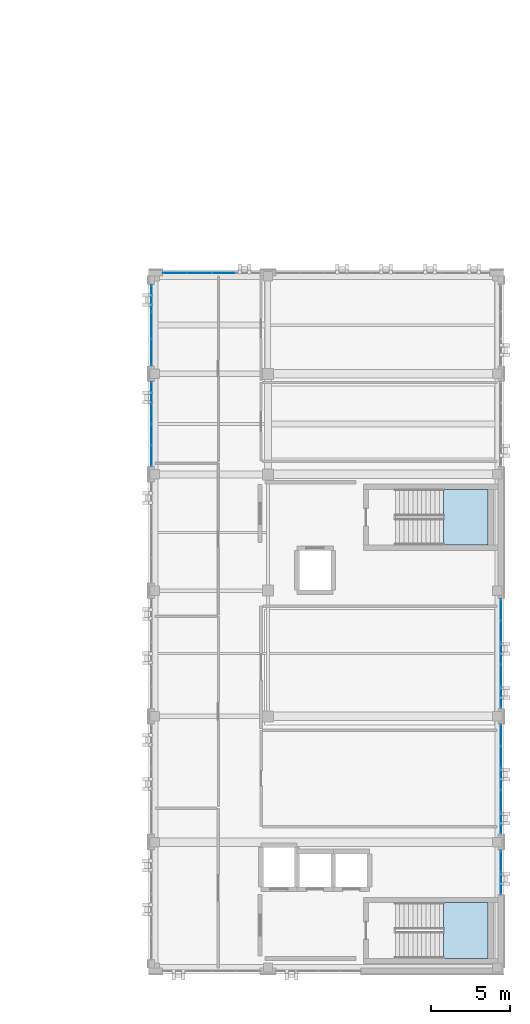
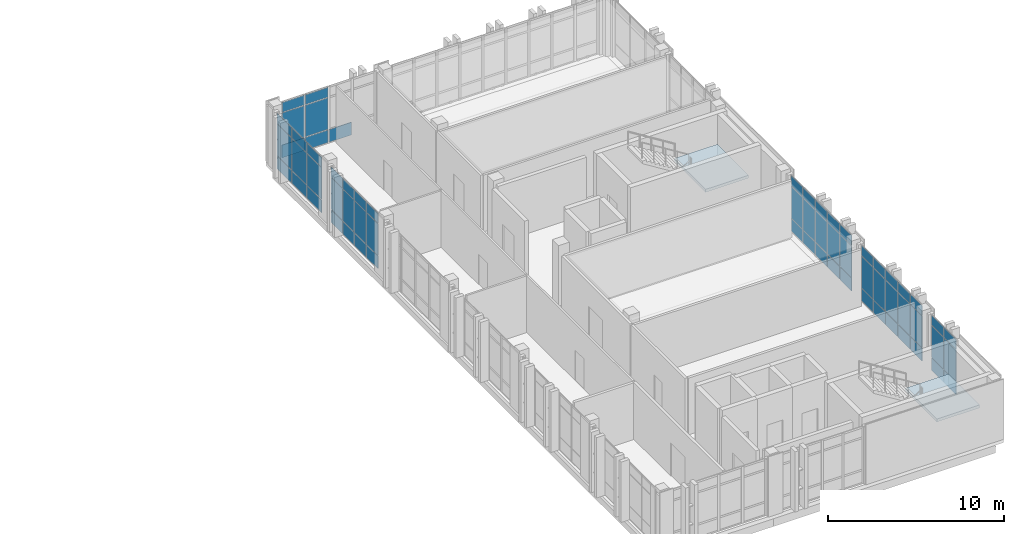
# One storey, part 56 of 77: 64 plates, 2 slabs, 8 elements without a shape of their own.
"""IFC4 building model written with IfcOpenShell, lengths in metres."""

from ifc_helpers import new_model, si_unit, direction, frame, origin, origin_2d, place, context, subcontext, project, spatial, polyline, rectangle, outline, extrude, material, layer, layer_set, type_object, element, aggregate, save


model = new_model("IFC4")

# Units and contexts
model_context = context("Model", 3, precision=1e-05, world=origin(), true_north=direction((0.0, 1.0)))
body_context = subcontext(model_context, "Body", "Model", "MODEL_VIEW")
ifc_project = project(units=[si_unit("LENGTHUNIT", "METRE"), si_unit("AREAUNIT", "SQUARE_METRE"), si_unit("VOLUMEUNIT", "CUBIC_METRE"), si_unit("PLANEANGLEUNIT", "RADIAN"), si_unit("MASSUNIT", "GRAM", prefix="KILO")], contexts=[model_context])

# Site, building, storey
site_placement = place(None, origin())
site = spatial("IfcSite", under=ifc_project, at=site_placement, CompositionType="ELEMENT")
building_placement = place(site_placement, origin())
building = spatial("IfcBuilding", under=site, at=building_placement, Name="Qalavern Law Courts", CompositionType="ELEMENT")
storey_placement = place(building_placement, frame((0.0, 0.0, 27.0)))
storey = spatial("IfcBuildingStorey", under=building, at=storey_placement, Name="L06", CompositionType="ELEMENT", Elevation=27.0)

# Curtain wall, plates
ifc_material_1 = material(Name="Anodised aluminium and insulated glazing", Category="aluminium")
ifc_layer_1 = layer(ifc_material_1, 0.159912109375)
ifc_layer_set_1 = layer_set([ifc_layer_1], Name="Anodised aluminium and insulated glazing")
curtain_wall_type = type_object("IfcCurtainWallType", Name="ENV-CW-CHAMB", PredefinedType="USERDEFINED", material=ifc_layer_set_1)
curtain_wall_1_placement = place(storey_placement, origin())
curtain_wall_1 = element("IfcCurtainWall", 1, at=curtain_wall_1_placement, inside=storey, type_object=curtain_wall_type, Name="V4 unitised curtain wall L06 east 1", ObjectType="UNITISED CURTAIN WALL", PredefinedType="USERDEFINED")
ifc_material_2 = material(Name="Insulated low-E acoustic glazing", Category="glass")
ifc_layer_2 = layer(ifc_material_2, 0.031982421875)
ifc_layer_set_2 = layer_set([ifc_layer_2], Name="Insulated low-E acoustic glazing")
plate_type_1 = type_object("IfcPlateType", Name="ENV-CWP-32", PredefinedType="CURTAIN_PANEL", material=ifc_layer_set_2)
plate_1_placement = place(storey_placement, frame((106.614990234375, 46.7744140625, 0.048095703125), z_axis=(0.0, 0.0, 1.0), x_axis=(0.0, 1.0, 0.0)))
plate_1 = element("IfcPlate", 2, at=plate_1_placement, type_object=plate_type_1, Name="CW-04 panel 1.1", PredefinedType="CURTAIN_PANEL", context=body_context, shape_type="SweptSolid", body=[
    extrude(rectangle(XDim=1.35302734375, YDim=0.031982421875, at=origin_2d()), origin(), (0.0, 0.0, 1.0), 0.8779296875),
])
plate_2_placement = place(storey_placement, frame((106.614990234375, 46.7744140625, 0.973876953125), z_axis=(0.0, 0.0, 1.0), x_axis=(0.0, 1.0, 0.0)))
plate_2 = element("IfcPlate", 3, at=plate_2_placement, type_object=plate_type_1, Name="CW-04 panel 1.2", PredefinedType="CURTAIN_PANEL", context=body_context, shape_type="SweptSolid", body=[
    extrude(rectangle(XDim=1.35302734375, YDim=0.031982421875, at=origin_2d()), origin(), (0.0, 0.0, 1.0), 2.18701171875),
])
plate_3_placement = place(storey_placement, frame((106.614990234375, 46.7744140625, 3.208984375), z_axis=(0.0, 0.0, 1.0), x_axis=(0.0, 1.0, 0.0)))
plate_3 = element("IfcPlate", 4, at=plate_3_placement, type_object=plate_type_1, Name="CW-04 panel 1.3", PredefinedType="CURTAIN_PANEL", context=body_context, shape_type="SweptSolid", body=[
    extrude(rectangle(XDim=1.35302734375, YDim=0.031982421875, at=origin_2d()), origin(), (0.0, 0.0, 1.0), 0.677978515625),
])
plate_4_placement = place(storey_placement, frame((106.614990234375, 48.175537109375, 0.048095703125), z_axis=(0.0, 0.0, 1.0), x_axis=(0.0, 1.0, 0.0)))
plate_4 = element("IfcPlate", 5, at=plate_4_placement, type_object=plate_type_1, Name="CW-04 panel 2.1", PredefinedType="CURTAIN_PANEL", context=body_context, shape_type="SweptSolid", body=[
    extrude(rectangle(XDim=1.35302734375, YDim=0.031982421875, at=origin_2d()), origin(), (0.0, 0.0, 1.0), 0.8779296875),
])
plate_5_placement = place(storey_placement, frame((106.614990234375, 48.175537109375, 0.973876953125), z_axis=(0.0, 0.0, 1.0), x_axis=(0.0, 1.0, 0.0)))
plate_5 = element("IfcPlate", 6, at=plate_5_placement, type_object=plate_type_1, Name="CW-04 panel 2.2", PredefinedType="CURTAIN_PANEL", context=body_context, shape_type="SweptSolid", body=[
    extrude(rectangle(XDim=1.35302734375, YDim=0.031982421875, at=origin_2d()), origin(), (0.0, 0.0, 1.0), 2.18701171875),
])
plate_6_placement = place(storey_placement, frame((106.614990234375, 48.175537109375, 3.208984375), z_axis=(0.0, 0.0, 1.0), x_axis=(0.0, 1.0, 0.0)))
plate_6 = element("IfcPlate", 7, at=plate_6_placement, type_object=plate_type_1, Name="CW-04 panel 2.3", PredefinedType="CURTAIN_PANEL", context=body_context, shape_type="SweptSolid", body=[
    extrude(rectangle(XDim=1.35302734375, YDim=0.031982421875, at=origin_2d()), origin(), (0.0, 0.0, 1.0), 0.677978515625),
])
aggregate(curtain_wall_1, [plate_1, plate_2, plate_3, plate_4, plate_5, plate_6])

curtain_wall_2_placement = place(storey_placement, origin())
curtain_wall_2 = element("IfcCurtainWall", 8, at=curtain_wall_2_placement, inside=storey, type_object=curtain_wall_type, Name="V4 unitised curtain wall L06 west 1", ObjectType="UNITISED CURTAIN WALL", PredefinedType="USERDEFINED")
plate_7_placement = place(storey_placement, frame((84.385009765625, 84.0087890625, 0.048095703125), z_axis=(0.0, 0.0, 1.0), x_axis=(0.0, -1.0, 0.0)))
plate_7 = element("IfcPlate", 9, at=plate_7_placement, type_object=plate_type_1, Name="CW-04 panel 1.1", PredefinedType="CURTAIN_PANEL", context=body_context, shape_type="SweptSolid", body=[
    extrude(rectangle(XDim=1.65625, YDim=0.031982421875, at=origin_2d()), origin(), (0.0, 0.0, 1.0), 0.8779296875),
])
plate_8_placement = place(storey_placement, frame((84.385009765625, 84.0087890625, 0.973876953125), z_axis=(0.0, 0.0, 1.0), x_axis=(0.0, -1.0, 0.0)))
plate_8 = element("IfcPlate", 10, at=plate_8_placement, type_object=plate_type_1, Name="CW-04 panel 1.2", PredefinedType="CURTAIN_PANEL", context=body_context, shape_type="SweptSolid", body=[
    extrude(rectangle(XDim=1.65625, YDim=0.031982421875, at=origin_2d()), origin(), (0.0, 0.0, 1.0), 2.18701171875),
])
plate_9_placement = place(storey_placement, frame((84.385009765625, 84.0087890625, 3.208984375), z_axis=(0.0, 0.0, 1.0), x_axis=(0.0, -1.0, 0.0)))
plate_9 = element("IfcPlate", 11, at=plate_9_placement, type_object=plate_type_1, Name="CW-04 panel 1.3", PredefinedType="CURTAIN_PANEL", context=body_context, shape_type="SweptSolid", body=[
    extrude(rectangle(XDim=1.65625, YDim=0.031982421875, at=origin_2d()), origin(), (0.0, 0.0, 1.0), 0.677978515625),
])
plate_10_placement = place(storey_placement, frame((84.385009765625, 82.29248046875, 0.048095703125), z_axis=(0.0, 0.0, 1.0), x_axis=(0.0, -1.0, 0.0)))
plate_10 = element("IfcPlate", 12, at=plate_10_placement, type_object=plate_type_1, Name="CW-04 panel 2.1", PredefinedType="CURTAIN_PANEL", context=body_context, shape_type="SweptSolid", body=[
    extrude(rectangle(XDim=1.680419921875, YDim=0.031982421875, at=origin_2d()), origin(), (0.0, 0.0, 1.0), 0.8779296875),
])
plate_11_placement = place(storey_placement, frame((84.385009765625, 82.29248046875, 0.973876953125), z_axis=(0.0, 0.0, 1.0), x_axis=(0.0, -1.0, 0.0)))
plate_11 = element("IfcPlate", 13, at=plate_11_placement, type_object=plate_type_1, Name="CW-04 panel 2.2", PredefinedType="CURTAIN_PANEL", context=body_context, shape_type="SweptSolid", body=[
    extrude(rectangle(XDim=1.680419921875, YDim=0.031982421875, at=origin_2d()), origin(), (0.0, 0.0, 1.0), 2.18701171875),
])
plate_12_placement = place(storey_placement, frame((84.385009765625, 82.29248046875, 3.208984375), z_axis=(0.0, 0.0, 1.0), x_axis=(0.0, -1.0, 0.0)))
plate_12 = element("IfcPlate", 14, at=plate_12_placement, type_object=plate_type_1, Name="CW-04 panel 2.3", PredefinedType="CURTAIN_PANEL", context=body_context, shape_type="SweptSolid", body=[
    extrude(rectangle(XDim=1.680419921875, YDim=0.031982421875, at=origin_2d()), origin(), (0.0, 0.0, 1.0), 0.677978515625),
])
plate_13_placement = place(storey_placement, frame((84.385009765625, 80.576171875, 0.048095703125), z_axis=(0.0, 0.0, 1.0), x_axis=(0.0, -1.0, 0.0)))
plate_13 = element("IfcPlate", 15, at=plate_13_placement, type_object=plate_type_1, Name="CW-04 panel 3.1", PredefinedType="CURTAIN_PANEL", context=body_context, shape_type="SweptSolid", body=[
    extrude(rectangle(XDim=1.65625, YDim=0.031982421875, at=origin_2d()), origin(), (0.0, 0.0, 1.0), 0.8779296875),
])
plate_14_placement = place(storey_placement, frame((84.385009765625, 80.576171875, 0.973876953125), z_axis=(0.0, 0.0, 1.0), x_axis=(0.0, -1.0, 0.0)))
plate_14 = element("IfcPlate", 16, at=plate_14_placement, type_object=plate_type_1, Name="CW-04 panel 3.2", PredefinedType="CURTAIN_PANEL", context=body_context, shape_type="SweptSolid", body=[
    extrude(rectangle(XDim=1.65625, YDim=0.031982421875, at=origin_2d()), origin(), (0.0, 0.0, 1.0), 2.18701171875),
])
plate_15_placement = place(storey_placement, frame((84.385009765625, 80.576171875, 3.208984375), z_axis=(0.0, 0.0, 1.0), x_axis=(0.0, -1.0, 0.0)))
plate_15 = element("IfcPlate", 17, at=plate_15_placement, type_object=plate_type_1, Name="CW-04 panel 3.3", PredefinedType="CURTAIN_PANEL", context=body_context, shape_type="SweptSolid", body=[
    extrude(rectangle(XDim=1.65625, YDim=0.031982421875, at=origin_2d()), origin(), (0.0, 0.0, 1.0), 0.677978515625),
])
aggregate(curtain_wall_2, [plate_7, plate_8, plate_9, plate_10, plate_11, plate_12, plate_13, plate_14, plate_15])

curtain_wall_3_placement = place(storey_placement, origin())
curtain_wall_3 = element("IfcCurtainWall", 18, at=curtain_wall_3_placement, inside=storey, type_object=curtain_wall_type, Name="V4 unitised curtain wall L06 east 2", ObjectType="UNITISED CURTAIN WALL", PredefinedType="USERDEFINED")
ifc_layer_3 = layer(ifc_material_2, 0.035888671875)
ifc_layer_set_3 = layer_set([ifc_layer_3], Name="Insulated low-E acoustic glazing")
plate_type_2 = type_object("IfcPlateType", Name="ENV-CWP-36", PredefinedType="CURTAIN_PANEL", material=ifc_layer_set_3)
plate_16_placement = place(storey_placement, frame((106.614990234375, 50.612060546875, 0.048095703125), z_axis=(0.0, 0.0, 1.0), x_axis=(0.0, 1.0, 0.0)))
plate_16 = element("IfcPlate", 19, at=plate_16_placement, type_object=plate_type_2, Name="CW-04 panel 1.1", PredefinedType="CURTAIN_PANEL", context=body_context, shape_type="SweptSolid", body=[
    extrude(rectangle(XDim=1.327880859375, YDim=0.035888671875, at=origin_2d()), origin(), (0.0, 0.0, 1.0), 0.8779296875),
])
plate_17_placement = place(storey_placement, frame((106.614990234375, 50.612060546875, 0.973876953125), z_axis=(0.0, 0.0, 1.0), x_axis=(0.0, 1.0, 0.0)))
plate_17 = element("IfcPlate", 20, at=plate_17_placement, type_object=plate_type_2, Name="CW-04 panel 1.2", PredefinedType="CURTAIN_PANEL", context=body_context, shape_type="SweptSolid", body=[
    extrude(rectangle(XDim=1.327880859375, YDim=0.035888671875, at=origin_2d()), origin(), (0.0, 0.0, 1.0), 2.18701171875),
])
plate_18_placement = place(storey_placement, frame((106.614990234375, 50.612060546875, 3.208984375), z_axis=(0.0, 0.0, 1.0), x_axis=(0.0, 1.0, 0.0)))
plate_18 = element("IfcPlate", 21, at=plate_18_placement, type_object=plate_type_2, Name="CW-04 panel 1.3", PredefinedType="CURTAIN_PANEL", context=body_context, shape_type="SweptSolid", body=[
    extrude(rectangle(XDim=1.327880859375, YDim=0.035888671875, at=origin_2d()), origin(), (0.0, 0.0, 1.0), 0.677978515625),
])
plate_19_placement = place(storey_placement, frame((106.614990234375, 52.0, 0.048095703125), z_axis=(0.0, 0.0, 1.0), x_axis=(0.0, 1.0, 0.0)))
plate_19 = element("IfcPlate", 22, at=plate_19_placement, type_object=plate_type_2, Name="CW-04 panel 2.1", PredefinedType="CURTAIN_PANEL", context=body_context, shape_type="SweptSolid", body=[
    extrude(rectangle(XDim=1.35205078125, YDim=0.035888671875, at=origin_2d()), origin(), (0.0, 0.0, 1.0), 0.8779296875),
])
plate_20_placement = place(storey_placement, frame((106.614990234375, 52.0, 0.973876953125), z_axis=(0.0, 0.0, 1.0), x_axis=(0.0, 1.0, 0.0)))
plate_20 = element("IfcPlate", 23, at=plate_20_placement, type_object=plate_type_2, Name="CW-04 panel 2.2", PredefinedType="CURTAIN_PANEL", context=body_context, shape_type="SweptSolid", body=[
    extrude(rectangle(XDim=1.35205078125, YDim=0.035888671875, at=origin_2d()), origin(), (0.0, 0.0, 1.0), 2.18701171875),
])
plate_21_placement = place(storey_placement, frame((106.614990234375, 52.0, 3.208984375), z_axis=(0.0, 0.0, 1.0), x_axis=(0.0, 1.0, 0.0)))
plate_21 = element("IfcPlate", 24, at=plate_21_placement, type_object=plate_type_2, Name="CW-04 panel 2.3", PredefinedType="CURTAIN_PANEL", context=body_context, shape_type="SweptSolid", body=[
    extrude(rectangle(XDim=1.35205078125, YDim=0.035888671875, at=origin_2d()), origin(), (0.0, 0.0, 1.0), 0.677978515625),
])
plate_22_placement = place(storey_placement, frame((106.614990234375, 53.39990234375, 0.048095703125), z_axis=(0.0, 0.0, 1.0), x_axis=(0.0, 1.0, 0.0)))
plate_22 = element("IfcPlate", 25, at=plate_22_placement, type_object=plate_type_2, Name="CW-04 panel 3.1", PredefinedType="CURTAIN_PANEL", context=body_context, shape_type="SweptSolid", body=[
    extrude(rectangle(XDim=1.35205078125, YDim=0.035888671875, at=origin_2d()), origin(), (0.0, 0.0, 1.0), 0.8779296875),
])
plate_23_placement = place(storey_placement, frame((106.614990234375, 53.39990234375, 0.973876953125), z_axis=(0.0, 0.0, 1.0), x_axis=(0.0, 1.0, 0.0)))
plate_23 = element("IfcPlate", 26, at=plate_23_placement, type_object=plate_type_2, Name="CW-04 panel 3.2", PredefinedType="CURTAIN_PANEL", context=body_context, shape_type="SweptSolid", body=[
    extrude(rectangle(XDim=1.35205078125, YDim=0.035888671875, at=origin_2d()), origin(), (0.0, 0.0, 1.0), 2.18701171875),
])
plate_24_placement = place(storey_placement, frame((106.614990234375, 53.39990234375, 3.208984375), z_axis=(0.0, 0.0, 1.0), x_axis=(0.0, 1.0, 0.0)))
plate_24 = element("IfcPlate", 27, at=plate_24_placement, type_object=plate_type_2, Name="CW-04 panel 3.3", PredefinedType="CURTAIN_PANEL", context=body_context, shape_type="SweptSolid", body=[
    extrude(rectangle(XDim=1.35205078125, YDim=0.035888671875, at=origin_2d()), origin(), (0.0, 0.0, 1.0), 0.677978515625),
])
plate_25_placement = place(storey_placement, frame((106.614990234375, 54.800048828125, 0.048095703125), z_axis=(0.0, 0.0, 1.0), x_axis=(0.0, 1.0, 0.0)))
plate_25 = element("IfcPlate", 28, at=plate_25_placement, type_object=plate_type_2, Name="CW-04 panel 4.1", PredefinedType="CURTAIN_PANEL", context=body_context, shape_type="SweptSolid", body=[
    extrude(rectangle(XDim=1.35205078125, YDim=0.035888671875, at=origin_2d()), origin(), (0.0, 0.0, 1.0), 0.8779296875),
])
plate_26_placement = place(storey_placement, frame((106.614990234375, 54.800048828125, 0.973876953125), z_axis=(0.0, 0.0, 1.0), x_axis=(0.0, 1.0, 0.0)))
plate_26 = element("IfcPlate", 29, at=plate_26_placement, type_object=plate_type_2, Name="CW-04 panel 4.2", PredefinedType="CURTAIN_PANEL", context=body_context, shape_type="SweptSolid", body=[
    extrude(rectangle(XDim=1.35205078125, YDim=0.035888671875, at=origin_2d()), origin(), (0.0, 0.0, 1.0), 2.18701171875),
])
plate_27_placement = place(storey_placement, frame((106.614990234375, 54.800048828125, 3.208984375), z_axis=(0.0, 0.0, 1.0), x_axis=(0.0, 1.0, 0.0)))
plate_27 = element("IfcPlate", 30, at=plate_27_placement, type_object=plate_type_2, Name="CW-04 panel 4.3", PredefinedType="CURTAIN_PANEL", context=body_context, shape_type="SweptSolid", body=[
    extrude(rectangle(XDim=1.35205078125, YDim=0.035888671875, at=origin_2d()), origin(), (0.0, 0.0, 1.0), 0.677978515625),
])
plate_28_placement = place(storey_placement, frame((106.614990234375, 56.18798828125, 0.048095703125), z_axis=(0.0, 0.0, 1.0), x_axis=(0.0, 1.0, 0.0)))
plate_28 = element("IfcPlate", 31, at=plate_28_placement, type_object=plate_type_2, Name="CW-04 panel 5.1", PredefinedType="CURTAIN_PANEL", context=body_context, shape_type="SweptSolid", body=[
    extrude(rectangle(XDim=1.327880859375, YDim=0.035888671875, at=origin_2d()), origin(), (0.0, 0.0, 1.0), 0.8779296875),
])
plate_29_placement = place(storey_placement, frame((106.614990234375, 56.18798828125, 0.973876953125), z_axis=(0.0, 0.0, 1.0), x_axis=(0.0, 1.0, 0.0)))
plate_29 = element("IfcPlate", 32, at=plate_29_placement, type_object=plate_type_2, Name="CW-04 panel 5.2", PredefinedType="CURTAIN_PANEL", context=body_context, shape_type="SweptSolid", body=[
    extrude(rectangle(XDim=1.327880859375, YDim=0.035888671875, at=origin_2d()), origin(), (0.0, 0.0, 1.0), 2.18701171875),
])
plate_30_placement = place(storey_placement, frame((106.614990234375, 56.18798828125, 3.208984375), z_axis=(0.0, 0.0, 1.0), x_axis=(0.0, 1.0, 0.0)))
plate_30 = element("IfcPlate", 33, at=plate_30_placement, type_object=plate_type_2, Name="CW-04 panel 5.3", PredefinedType="CURTAIN_PANEL", context=body_context, shape_type="SweptSolid", body=[
    extrude(rectangle(XDim=1.327880859375, YDim=0.035888671875, at=origin_2d()), origin(), (0.0, 0.0, 1.0), 0.677978515625),
])
aggregate(curtain_wall_3, [plate_16, plate_17, plate_18, plate_19, plate_20, plate_21, plate_22, plate_23, plate_24, plate_25, plate_26, plate_27, plate_28, plate_29, plate_30])

curtain_wall_4_placement = place(storey_placement, origin())
curtain_wall_4 = element("IfcCurtainWall", 34, at=curtain_wall_4_placement, inside=storey, type_object=curtain_wall_type, Name="V4 unitised curtain wall L06 north 2", ObjectType="UNITISED CURTAIN WALL", PredefinedType="USERDEFINED")
plate_31_placement = place(storey_placement, frame((88.97509765625, 85.614990234375, 0.048095703125), z_axis=(0.0, 0.0, 1.0), x_axis=(-1.0, 0.0, 0.0)))
plate_31 = element("IfcPlate", 35, at=plate_31_placement, type_object=plate_type_2, Name="CW-04 panel 2.1", PredefinedType="CURTAIN_PANEL", context=body_context, shape_type="SweptSolid", body=[
    extrude(rectangle(XDim=1.501953125, YDim=0.035888671875, at=origin_2d()), origin(), (0.0, 0.0, 1.0), 0.8779296875),
])
plate_32_placement = place(storey_placement, frame((87.425048828125, 85.614990234375, 0.048095703125), z_axis=(0.0, 0.0, 1.0), x_axis=(-1.0, 0.0, 0.0)))
plate_32 = element("IfcPlate", 36, at=plate_32_placement, type_object=plate_type_2, Name="CW-04 panel 3.1", PredefinedType="CURTAIN_PANEL", context=body_context, shape_type="SweptSolid", body=[
    extrude(rectangle(XDim=1.501953125, YDim=0.035888671875, at=origin_2d()), origin(), (0.0, 0.0, 1.0), 0.8779296875),
])
plate_33_placement = place(storey_placement, frame((87.425048828125, 85.614990234375, 0.973876953125), z_axis=(0.0, 0.0, 1.0), x_axis=(-1.0, 0.0, 0.0)))
plate_33 = element("IfcPlate", 37, at=plate_33_placement, type_object=plate_type_2, Name="CW-04 panel 3.2", PredefinedType="CURTAIN_PANEL", context=body_context, shape_type="SweptSolid", body=[
    extrude(rectangle(XDim=1.501953125, YDim=0.035888671875, at=origin_2d()), origin(), (0.0, 0.0, 1.0), 2.18701171875),
])
plate_34_placement = place(storey_placement, frame((87.425048828125, 85.614990234375, 3.208984375), z_axis=(0.0, 0.0, 1.0), x_axis=(-1.0, 0.0, 0.0)))
plate_34 = element("IfcPlate", 38, at=plate_34_placement, type_object=plate_type_2, Name="CW-04 panel 3.3", PredefinedType="CURTAIN_PANEL", context=body_context, shape_type="SweptSolid", body=[
    extrude(rectangle(XDim=1.501953125, YDim=0.035888671875, at=origin_2d()), origin(), (0.0, 0.0, 1.0), 0.677978515625),
])
plate_35_placement = place(storey_placement, frame((85.886962890625, 85.614990234375, 0.048095703125), z_axis=(0.0, 0.0, 1.0), x_axis=(-1.0, 0.0, 0.0)))
plate_35 = element("IfcPlate", 39, at=plate_35_placement, type_object=plate_type_2, Name="CW-04 panel 4.1", PredefinedType="CURTAIN_PANEL", context=body_context, shape_type="SweptSolid", body=[
    extrude(rectangle(XDim=1.47802734375, YDim=0.035888671875, at=origin_2d()), origin(), (0.0, 0.0, 1.0), 0.8779296875),
])
plate_36_placement = place(storey_placement, frame((85.886962890625, 85.614990234375, 0.973876953125), z_axis=(0.0, 0.0, 1.0), x_axis=(-1.0, 0.0, 0.0)))
plate_36 = element("IfcPlate", 40, at=plate_36_placement, type_object=plate_type_2, Name="CW-04 panel 4.2", PredefinedType="CURTAIN_PANEL", context=body_context, shape_type="SweptSolid", body=[
    extrude(rectangle(XDim=1.47802734375, YDim=0.035888671875, at=origin_2d()), origin(), (0.0, 0.0, 1.0), 2.18701171875),
])
plate_37_placement = place(storey_placement, frame((85.886962890625, 85.614990234375, 3.208984375), z_axis=(0.0, 0.0, 1.0), x_axis=(-1.0, 0.0, 0.0)))
plate_37 = element("IfcPlate", 41, at=plate_37_placement, type_object=plate_type_2, Name="CW-04 panel 4.3", PredefinedType="CURTAIN_PANEL", context=body_context, shape_type="SweptSolid", body=[
    extrude(rectangle(XDim=1.47802734375, YDim=0.035888671875, at=origin_2d()), origin(), (0.0, 0.0, 1.0), 0.677978515625),
])
aggregate(curtain_wall_4, [plate_31, plate_32, plate_33, plate_34, plate_35, plate_36, plate_37])

curtain_wall_5_placement = place(storey_placement, origin())
curtain_wall_5 = element("IfcCurtainWall", 42, at=curtain_wall_5_placement, inside=storey, type_object=curtain_wall_type, Name="V4 unitised curtain wall L06 west 2", ObjectType="UNITISED CURTAIN WALL", PredefinedType="USERDEFINED")
plate_38_placement = place(storey_placement, frame((84.385009765625, 78.012939453125, 0.048095703125), z_axis=(0.0, 0.0, 1.0), x_axis=(0.0, -1.0, 0.0)))
plate_38 = element("IfcPlate", 43, at=plate_38_placement, type_object=plate_type_2, Name="CW-04 panel 1.1", PredefinedType="CURTAIN_PANEL", context=body_context, shape_type="SweptSolid", body=[
    extrude(rectangle(XDim=1.278076171875, YDim=0.035888671875, at=origin_2d()), origin(), (0.0, 0.0, 1.0), 0.8779296875),
])
plate_39_placement = place(storey_placement, frame((84.385009765625, 78.012939453125, 0.973876953125), z_axis=(0.0, 0.0, 1.0), x_axis=(0.0, -1.0, 0.0)))
plate_39 = element("IfcPlate", 44, at=plate_39_placement, type_object=plate_type_2, Name="CW-04 panel 1.2", PredefinedType="CURTAIN_PANEL", context=body_context, shape_type="SweptSolid", body=[
    extrude(rectangle(XDim=1.278076171875, YDim=0.035888671875, at=origin_2d()), origin(), (0.0, 0.0, 1.0), 2.18701171875),
])
plate_40_placement = place(storey_placement, frame((84.385009765625, 78.012939453125, 3.208984375), z_axis=(0.0, 0.0, 1.0), x_axis=(0.0, -1.0, 0.0)))
plate_40 = element("IfcPlate", 45, at=plate_40_placement, type_object=plate_type_2, Name="CW-04 panel 1.3", PredefinedType="CURTAIN_PANEL", context=body_context, shape_type="SweptSolid", body=[
    extrude(rectangle(XDim=1.278076171875, YDim=0.035888671875, at=origin_2d()), origin(), (0.0, 0.0, 1.0), 0.677978515625),
])
plate_41_placement = place(storey_placement, frame((84.385009765625, 76.675048828125, 0.048095703125), z_axis=(0.0, 0.0, 1.0), x_axis=(0.0, -1.0, 0.0)))
plate_41 = element("IfcPlate", 46, at=plate_41_placement, type_object=plate_type_2, Name="CW-04 panel 2.1", PredefinedType="CURTAIN_PANEL", context=body_context, shape_type="SweptSolid", body=[
    extrude(rectangle(XDim=1.302001953125, YDim=0.035888671875, at=origin_2d()), origin(), (0.0, 0.0, 1.0), 0.8779296875),
])
plate_42_placement = place(storey_placement, frame((84.385009765625, 76.675048828125, 0.973876953125), z_axis=(0.0, 0.0, 1.0), x_axis=(0.0, -1.0, 0.0)))
plate_42 = element("IfcPlate", 47, at=plate_42_placement, type_object=plate_type_2, Name="CW-04 panel 2.2", PredefinedType="CURTAIN_PANEL", context=body_context, shape_type="SweptSolid", body=[
    extrude(rectangle(XDim=1.302001953125, YDim=0.035888671875, at=origin_2d()), origin(), (0.0, 0.0, 1.0), 2.18701171875),
])
plate_43_placement = place(storey_placement, frame((84.385009765625, 76.675048828125, 3.208984375), z_axis=(0.0, 0.0, 1.0), x_axis=(0.0, -1.0, 0.0)))
plate_43 = element("IfcPlate", 48, at=plate_43_placement, type_object=plate_type_2, Name="CW-04 panel 2.3", PredefinedType="CURTAIN_PANEL", context=body_context, shape_type="SweptSolid", body=[
    extrude(rectangle(XDim=1.302001953125, YDim=0.035888671875, at=origin_2d()), origin(), (0.0, 0.0, 1.0), 0.677978515625),
])
plate_44_placement = place(storey_placement, frame((84.385009765625, 75.324951171875, 0.048095703125), z_axis=(0.0, 0.0, 1.0), x_axis=(0.0, -1.0, 0.0)))
plate_44 = element("IfcPlate", 49, at=plate_44_placement, type_object=plate_type_2, Name="CW-04 panel 3.1", PredefinedType="CURTAIN_PANEL", context=body_context, shape_type="SweptSolid", body=[
    extrude(rectangle(XDim=1.302001953125, YDim=0.035888671875, at=origin_2d()), origin(), (0.0, 0.0, 1.0), 0.8779296875),
])
plate_45_placement = place(storey_placement, frame((84.385009765625, 75.324951171875, 0.973876953125), z_axis=(0.0, 0.0, 1.0), x_axis=(0.0, -1.0, 0.0)))
plate_45 = element("IfcPlate", 50, at=plate_45_placement, type_object=plate_type_2, Name="CW-04 panel 3.2", PredefinedType="CURTAIN_PANEL", context=body_context, shape_type="SweptSolid", body=[
    extrude(rectangle(XDim=1.302001953125, YDim=0.035888671875, at=origin_2d()), origin(), (0.0, 0.0, 1.0), 2.18701171875),
])
plate_46_placement = place(storey_placement, frame((84.385009765625, 75.324951171875, 3.208984375), z_axis=(0.0, 0.0, 1.0), x_axis=(0.0, -1.0, 0.0)))
plate_46 = element("IfcPlate", 51, at=plate_46_placement, type_object=plate_type_2, Name="CW-04 panel 3.3", PredefinedType="CURTAIN_PANEL", context=body_context, shape_type="SweptSolid", body=[
    extrude(rectangle(XDim=1.302001953125, YDim=0.035888671875, at=origin_2d()), origin(), (0.0, 0.0, 1.0), 0.677978515625),
])
plate_47_placement = place(storey_placement, frame((84.385009765625, 73.987060546875, 0.048095703125), z_axis=(0.0, 0.0, 1.0), x_axis=(0.0, -1.0, 0.0)))
plate_47 = element("IfcPlate", 52, at=plate_47_placement, type_object=plate_type_2, Name="CW-04 panel 4.1", PredefinedType="CURTAIN_PANEL", context=body_context, shape_type="SweptSolid", body=[
    extrude(rectangle(XDim=1.278076171875, YDim=0.035888671875, at=origin_2d()), origin(), (0.0, 0.0, 1.0), 0.8779296875),
])
plate_48_placement = place(storey_placement, frame((84.385009765625, 73.987060546875, 0.973876953125), z_axis=(0.0, 0.0, 1.0), x_axis=(0.0, -1.0, 0.0)))
plate_48 = element("IfcPlate", 53, at=plate_48_placement, type_object=plate_type_2, Name="CW-04 panel 4.2", PredefinedType="CURTAIN_PANEL", context=body_context, shape_type="SweptSolid", body=[
    extrude(rectangle(XDim=1.278076171875, YDim=0.035888671875, at=origin_2d()), origin(), (0.0, 0.0, 1.0), 2.18701171875),
])
plate_49_placement = place(storey_placement, frame((84.385009765625, 73.987060546875, 3.208984375), z_axis=(0.0, 0.0, 1.0), x_axis=(0.0, -1.0, 0.0)))
plate_49 = element("IfcPlate", 54, at=plate_49_placement, type_object=plate_type_2, Name="CW-04 panel 4.3", PredefinedType="CURTAIN_PANEL", context=body_context, shape_type="SweptSolid", body=[
    extrude(rectangle(XDim=1.278076171875, YDim=0.035888671875, at=origin_2d()), origin(), (0.0, 0.0, 1.0), 0.677978515625),
])
aggregate(curtain_wall_5, [plate_38, plate_39, plate_40, plate_41, plate_42, plate_43, plate_44, plate_45, plate_46, plate_47, plate_48, plate_49])

curtain_wall_6_placement = place(storey_placement, origin())
curtain_wall_6 = element("IfcCurtainWall", 55, at=curtain_wall_6_placement, inside=storey, type_object=curtain_wall_type, Name="V4 unitised curtain wall L06 east 3", ObjectType="UNITISED CURTAIN WALL", PredefinedType="USERDEFINED")
ifc_layer_4 = layer(ifc_material_2, 0.0400390625)
ifc_layer_set_4 = layer_set([ifc_layer_4], Name="Insulated low-E acoustic glazing")
plate_type_3 = type_object("IfcPlateType", Name="ENV-CWP-40", PredefinedType="CURTAIN_PANEL", material=ifc_layer_set_4)
plate_50_placement = place(storey_placement, frame((106.614990234375, 58.612060546875, 0.048095703125), z_axis=(0.0, 0.0, 1.0), x_axis=(0.0, 1.0, 0.0)))
plate_50 = element("IfcPlate", 56, at=plate_50_placement, type_object=plate_type_3, Name="CW-04 panel 1.1", PredefinedType="CURTAIN_PANEL", context=body_context, shape_type="SweptSolid", body=[
    extrude(rectangle(XDim=1.327880859375, YDim=0.0400390625, at=origin_2d()), origin(), (0.0, 0.0, 1.0), 0.8779296875),
])
plate_51_placement = place(storey_placement, frame((106.614990234375, 58.612060546875, 0.973876953125), z_axis=(0.0, 0.0, 1.0), x_axis=(0.0, 1.0, 0.0)))
plate_51 = element("IfcPlate", 57, at=plate_51_placement, type_object=plate_type_3, Name="CW-04 panel 1.2", PredefinedType="CURTAIN_PANEL", context=body_context, shape_type="SweptSolid", body=[
    extrude(rectangle(XDim=1.327880859375, YDim=0.0400390625, at=origin_2d()), origin(), (0.0, 0.0, 1.0), 2.18701171875),
])
plate_52_placement = place(storey_placement, frame((106.614990234375, 58.612060546875, 3.208984375), z_axis=(0.0, 0.0, 1.0), x_axis=(0.0, 1.0, 0.0)))
plate_52 = element("IfcPlate", 58, at=plate_52_placement, type_object=plate_type_3, Name="CW-04 panel 1.3", PredefinedType="CURTAIN_PANEL", context=body_context, shape_type="SweptSolid", body=[
    extrude(rectangle(XDim=1.327880859375, YDim=0.0400390625, at=origin_2d()), origin(), (0.0, 0.0, 1.0), 0.677978515625),
])
plate_53_placement = place(storey_placement, frame((106.614990234375, 60.0, 0.048095703125), z_axis=(0.0, 0.0, 1.0), x_axis=(0.0, 1.0, 0.0)))
plate_53 = element("IfcPlate", 59, at=plate_53_placement, type_object=plate_type_3, Name="CW-04 panel 2.1", PredefinedType="CURTAIN_PANEL", context=body_context, shape_type="SweptSolid", body=[
    extrude(rectangle(XDim=1.35205078125, YDim=0.0400390625, at=origin_2d()), origin(), (0.0, 0.0, 1.0), 0.8779296875),
])
plate_54_placement = place(storey_placement, frame((106.614990234375, 60.0, 0.973876953125), z_axis=(0.0, 0.0, 1.0), x_axis=(0.0, 1.0, 0.0)))
plate_54 = element("IfcPlate", 60, at=plate_54_placement, type_object=plate_type_3, Name="CW-04 panel 2.2", PredefinedType="CURTAIN_PANEL", context=body_context, shape_type="SweptSolid", body=[
    extrude(rectangle(XDim=1.35205078125, YDim=0.0400390625, at=origin_2d()), origin(), (0.0, 0.0, 1.0), 2.18701171875),
])
plate_55_placement = place(storey_placement, frame((106.614990234375, 60.0, 3.208984375), z_axis=(0.0, 0.0, 1.0), x_axis=(0.0, 1.0, 0.0)))
plate_55 = element("IfcPlate", 61, at=plate_55_placement, type_object=plate_type_3, Name="CW-04 panel 2.3", PredefinedType="CURTAIN_PANEL", context=body_context, shape_type="SweptSolid", body=[
    extrude(rectangle(XDim=1.35205078125, YDim=0.0400390625, at=origin_2d()), origin(), (0.0, 0.0, 1.0), 0.677978515625),
])
plate_56_placement = place(storey_placement, frame((106.614990234375, 61.39990234375, 0.048095703125), z_axis=(0.0, 0.0, 1.0), x_axis=(0.0, 1.0, 0.0)))
plate_56 = element("IfcPlate", 62, at=plate_56_placement, type_object=plate_type_3, Name="CW-04 panel 3.1", PredefinedType="CURTAIN_PANEL", context=body_context, shape_type="SweptSolid", body=[
    extrude(rectangle(XDim=1.35205078125, YDim=0.0400390625, at=origin_2d()), origin(), (0.0, 0.0, 1.0), 0.8779296875),
])
plate_57_placement = place(storey_placement, frame((106.614990234375, 61.39990234375, 0.973876953125), z_axis=(0.0, 0.0, 1.0), x_axis=(0.0, 1.0, 0.0)))
plate_57 = element("IfcPlate", 63, at=plate_57_placement, type_object=plate_type_3, Name="CW-04 panel 3.2", PredefinedType="CURTAIN_PANEL", context=body_context, shape_type="SweptSolid", body=[
    extrude(rectangle(XDim=1.35205078125, YDim=0.0400390625, at=origin_2d()), origin(), (0.0, 0.0, 1.0), 2.18701171875),
])
plate_58_placement = place(storey_placement, frame((106.614990234375, 61.39990234375, 3.208984375), z_axis=(0.0, 0.0, 1.0), x_axis=(0.0, 1.0, 0.0)))
plate_58 = element("IfcPlate", 64, at=plate_58_placement, type_object=plate_type_3, Name="CW-04 panel 3.3", PredefinedType="CURTAIN_PANEL", context=body_context, shape_type="SweptSolid", body=[
    extrude(rectangle(XDim=1.35205078125, YDim=0.0400390625, at=origin_2d()), origin(), (0.0, 0.0, 1.0), 0.677978515625),
])
plate_59_placement = place(storey_placement, frame((106.614990234375, 62.800048828125, 0.048095703125), z_axis=(0.0, 0.0, 1.0), x_axis=(0.0, 1.0, 0.0)))
plate_59 = element("IfcPlate", 65, at=plate_59_placement, type_object=plate_type_3, Name="CW-04 panel 4.1", PredefinedType="CURTAIN_PANEL", context=body_context, shape_type="SweptSolid", body=[
    extrude(rectangle(XDim=1.35205078125, YDim=0.0400390625, at=origin_2d()), origin(), (0.0, 0.0, 1.0), 0.8779296875),
])
plate_60_placement = place(storey_placement, frame((106.614990234375, 62.800048828125, 0.973876953125), z_axis=(0.0, 0.0, 1.0), x_axis=(0.0, 1.0, 0.0)))
plate_60 = element("IfcPlate", 66, at=plate_60_placement, type_object=plate_type_3, Name="CW-04 panel 4.2", PredefinedType="CURTAIN_PANEL", context=body_context, shape_type="SweptSolid", body=[
    extrude(rectangle(XDim=1.35205078125, YDim=0.0400390625, at=origin_2d()), origin(), (0.0, 0.0, 1.0), 2.18701171875),
])
plate_61_placement = place(storey_placement, frame((106.614990234375, 62.800048828125, 3.208984375), z_axis=(0.0, 0.0, 1.0), x_axis=(0.0, 1.0, 0.0)))
plate_61 = element("IfcPlate", 67, at=plate_61_placement, type_object=plate_type_3, Name="CW-04 panel 4.3", PredefinedType="CURTAIN_PANEL", context=body_context, shape_type="SweptSolid", body=[
    extrude(rectangle(XDim=1.35205078125, YDim=0.0400390625, at=origin_2d()), origin(), (0.0, 0.0, 1.0), 0.677978515625),
])
plate_62_placement = place(storey_placement, frame((106.614990234375, 64.18798828125, 0.048095703125), z_axis=(0.0, 0.0, 1.0), x_axis=(0.0, 1.0, 0.0)))
plate_62 = element("IfcPlate", 68, at=plate_62_placement, type_object=plate_type_3, Name="CW-04 panel 5.1", PredefinedType="CURTAIN_PANEL", context=body_context, shape_type="SweptSolid", body=[
    extrude(rectangle(XDim=1.327880859375, YDim=0.0400390625, at=origin_2d()), origin(), (0.0, 0.0, 1.0), 0.8779296875),
])
plate_63_placement = place(storey_placement, frame((106.614990234375, 64.18798828125, 0.973876953125), z_axis=(0.0, 0.0, 1.0), x_axis=(0.0, 1.0, 0.0)))
plate_63 = element("IfcPlate", 69, at=plate_63_placement, type_object=plate_type_3, Name="CW-04 panel 5.2", PredefinedType="CURTAIN_PANEL", context=body_context, shape_type="SweptSolid", body=[
    extrude(rectangle(XDim=1.327880859375, YDim=0.0400390625, at=origin_2d()), origin(), (0.0, 0.0, 1.0), 2.18701171875),
])
plate_64_placement = place(storey_placement, frame((106.614990234375, 64.18798828125, 3.208984375), z_axis=(0.0, 0.0, 1.0), x_axis=(0.0, 1.0, 0.0)))
plate_64 = element("IfcPlate", 70, at=plate_64_placement, type_object=plate_type_3, Name="CW-04 panel 5.3", PredefinedType="CURTAIN_PANEL", context=body_context, shape_type="SweptSolid", body=[
    extrude(rectangle(XDim=1.327880859375, YDim=0.0400390625, at=origin_2d()), origin(), (0.0, 0.0, 1.0), 0.677978515625),
])
aggregate(curtain_wall_6, [plate_50, plate_51, plate_52, plate_53, plate_54, plate_55, plate_56, plate_57, plate_58, plate_59, plate_60, plate_61, plate_62, plate_63, plate_64])

# Stair, slab
ifc_material_3 = material(Name="Concrete C35/45", Category="concrete")
stair_type = type_object("IfcStairType", Name="INT-STAIR-1700", PredefinedType="HALF_TURN_STAIR", material=ifc_material_3)
stair_1_placement = place(storey_placement, origin())
stair_1 = element("IfcStair", 71, at=stair_1_placement, inside=storey, type_object=stair_type, Name="L06 ST-K1A", PredefinedType="HALF_TURN_STAIR")
ifc_layer_5 = layer(ifc_material_3, 0.199951171875)
ifc_layer_set_5 = layer_set([ifc_layer_5], Name="Concrete C35/45")
slab_type = type_object("IfcSlabType", Name="INT-LANDING-200", PredefinedType="LANDING", material=ifc_layer_set_5)
slab_1_placement = place(storey_placement, frame((0.0, 0.0, 1.89990234375)))
slab_1 = element("IfcSlab", 72, at=slab_1_placement, type_object=slab_type, Name="ST-K1A landing 1", PredefinedType="LANDING", context=body_context, shape_type="SweptSolid", body=[
    extrude(outline(polyline([(102.97998046875, 42.0), (105.800048828125, 42.0), (105.800048828125, 45.550048828125), (102.97998046875, 45.550048828125), (102.97998046875, 42.0)])), origin(), (0.0, 0.0, 1.0), 0.2001953125),
])
aggregate(stair_1, [slab_1])

stair_2_placement = place(storey_placement, origin())
stair_2 = element("IfcStair", 73, at=stair_2_placement, inside=storey, type_object=stair_type, Name="L06 ST-K1B", PredefinedType="HALF_TURN_STAIR")
slab_2_placement = place(storey_placement, frame((0.0, 0.0, 1.89990234375)))
slab_2 = element("IfcSlab", 74, at=slab_2_placement, type_object=slab_type, Name="ST-K1B landing 1", PredefinedType="LANDING", context=body_context, shape_type="SweptSolid", body=[
    extrude(outline(polyline([(102.97998046875, 68.300048828125), (105.800048828125, 68.300048828125), (105.800048828125, 71.85009765625), (102.97998046875, 71.85009765625), (102.97998046875, 68.300048828125)])), origin(), (0.0, 0.0, 1.0), 0.2001953125),
])
aggregate(stair_2, [slab_2])

save(model, "model.ifc")
